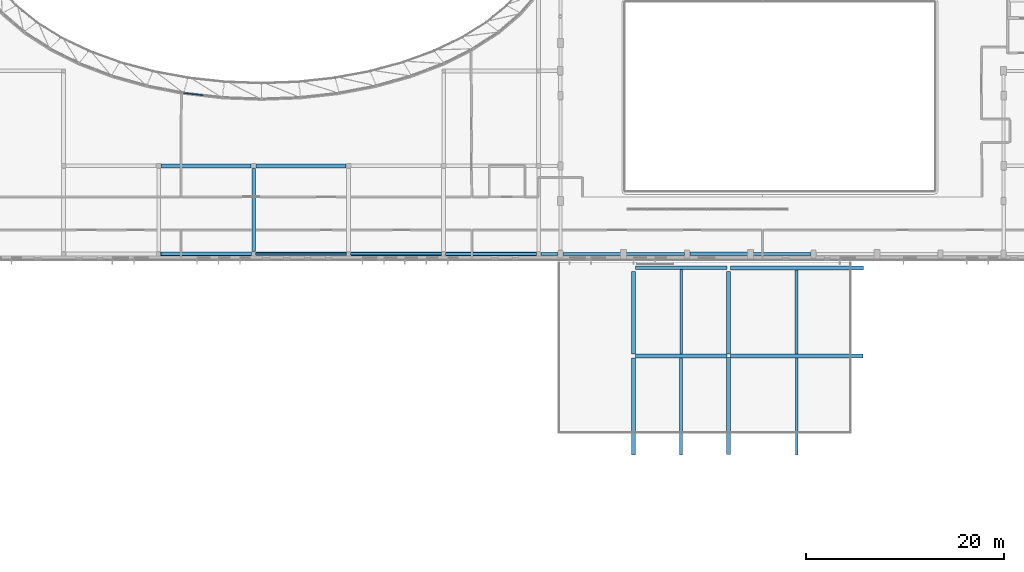
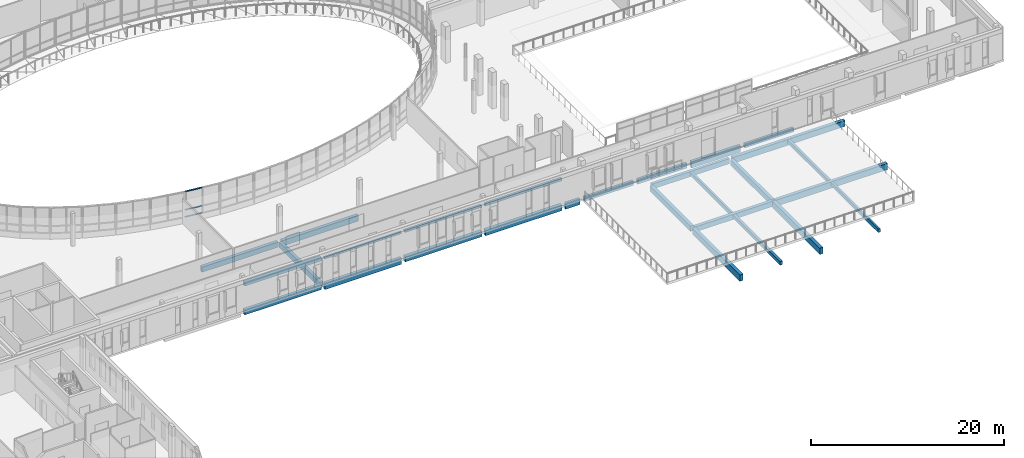
# One storey, part 13 of 73: 28 beams, 3 members, 1 element without a shape of its own.
"""IFC4 building model written with IfcOpenShell, lengths in metres."""

import ifcopenshell
import ifcopenshell.guid

model = None  # the IFC model being written
_history = None  # IfcOwnerHistory: only IFC2X3 demands one
_inside = {}  # id of a spatial element -> (the spatial element, [elements in it])
_under = {}  # id of a project, library or spatial element -> (it, [spatial elements below it])
_declared = {}  # id of a project -> (the project, [libraries it declares])
_typed = {}  # id of a type object -> (the type object, [elements of that type])
_made_of = {}  # id of a material, layer set ... -> (it, [elements and type objects made of it])


def new_model(schema):
    """Start an empty IFC model of exactly this schema.

    Asked for "IFC4X3", IfcOpenShell would pick the latest addendum, in which some entities
    have other attributes; the version numbers below select the first issue.
    IFC2X3 requires an IfcOwnerHistory on every rooted entity: one is made here for all.
    """
    global model, _history
    if schema == "IFC4X3":
        model = ifcopenshell.file(schema_version=(4, 3, 0, 0))
    else:
        model = ifcopenshell.file(schema=schema)
    _inside.clear()
    _under.clear()
    _declared.clear()
    _typed.clear()
    _made_of.clear()
    _history = None
    if model.schema == "IFC2X3":
        org = make("IfcOrganization", Name="unknown")
        user = make(
            "IfcPersonAndOrganization",
            ThePerson=make("IfcPerson", FamilyName="unknown"),
            TheOrganization=org,
        )
        app = make(
            "IfcApplication",
            ApplicationDeveloper=org,
            Version="unknown",
            ApplicationFullName="unknown",
            ApplicationIdentifier="unknown",
        )
        _history = make(
            "IfcOwnerHistory",
            OwningUser=user,
            OwningApplication=app,
            ChangeAction="ADDED",
            CreationDate=0,
        )
    return model


def make(cls, **values):
    """One entity of the class cls with the attributes given. An attribute that is None is left unset."""
    return model.create_entity(
        cls, **{name: value for name, value in values.items() if value is not None}
    )


def rooted(cls, **values):
    """An entity with a GlobalId (a new one), such as an element, a storey or a relation."""
    return make(cls, GlobalId=ifcopenshell.guid.new(), OwnerHistory=_history, **values)


def si_unit(unit_type, name, prefix=None):
    """IfcSIUnit, for example si_unit("LENGTHUNIT", "METRE", prefix="MILLI")."""
    return make("IfcSIUnit", UnitType=unit_type, Prefix=prefix, Name=name)


def assignment(units):
    """IfcUnitAssignment: the units of a project."""
    return None if units is None else make("IfcUnitAssignment", Units=units)


def point(xyz):
    """IfcCartesianPoint."""
    return None if xyz is None else make("IfcCartesianPoint", Coordinates=xyz)


def direction(xyz):
    """IfcDirection."""
    return None if xyz is None else make("IfcDirection", DirectionRatios=xyz)


def frame(location, z_axis=None, x_axis=None):
    """IfcAxis2Placement3D, a coordinate frame: its origin and axes. An axis left out is left unset."""
    return make(
        "IfcAxis2Placement3D",
        Location=point(location),
        Axis=direction(z_axis),
        RefDirection=direction(x_axis),
    )


def frame_2d(location, x_axis=None):
    """IfcAxis2Placement2D, a coordinate frame in the plane: its origin and x axis."""
    return make(
        "IfcAxis2Placement2D", Location=point(location), RefDirection=direction(x_axis)
    )


def origin():
    """The frame at (0, 0, 0) with its axes left unset."""
    return frame((0.0, 0.0, 0.0))


def origin_2d():
    """The frame at (0, 0) in the plane with its x axis left unset."""
    return frame_2d((0.0, 0.0))


def place(relative_to, where):
    """IfcLocalPlacement: puts the frame where relative to a parent placement (None: the world)."""
    return make(
        "IfcLocalPlacement", PlacementRelTo=relative_to, RelativePlacement=where
    )


def context(
    kind, dimensions, precision=None, world=None, true_north=None, identifier=None
):
    """IfcGeometricRepresentationContext, for example the 3D "Model" context."""
    return make(
        "IfcGeometricRepresentationContext",
        ContextIdentifier=identifier,
        ContextType=kind,
        CoordinateSpaceDimension=dimensions,
        Precision=precision,
        WorldCoordinateSystem=world,
        TrueNorth=true_north,
    )


def subcontext(parent, identifier, kind, view, scale=None):
    """IfcGeometricRepresentationSubContext, for example "Body" below "Model"."""
    return make(
        "IfcGeometricRepresentationSubContext",
        ContextIdentifier=identifier,
        ContextType=kind,
        ParentContext=parent,
        TargetScale=scale,
        TargetView=view,
    )


def project(units=None, contexts=None):
    """IfcProject with its units and contexts."""
    return rooted(
        "IfcProject",
        Name="project",
        RepresentationContexts=contexts,
        UnitsInContext=assignment(units),
    )


def spatial(cls, under=None, at=None, **own):
    """A site, building, storey or space (cls), placed at a placement, below another one or the project."""
    s = rooted(cls, ObjectPlacement=at, **own)
    if under is not None:
        _under.setdefault(under.id(), (under, []))[1].append(s)
    return s


def profile(cls, at=None, kind="AREA", **sizes):
    """A parametric profile (cls). Its sizes go by their IFC names, for example OverallWidth=200.0."""
    return make(cls, ProfileType=kind, Position=at, **sizes)


def rectangle(**sizes):
    """IfcRectangleProfileDef."""
    return profile("IfcRectangleProfileDef", **sizes)


def extrude(swept, where, along, depth):
    """IfcExtrudedAreaSolid: the profile swept, set in the frame where, extruded along a direction by depth."""
    return make(
        "IfcExtrudedAreaSolid",
        SweptArea=swept,
        Position=where,
        ExtrudedDirection=direction(along),
        Depth=depth,
    )


def shape(context_of_items, identifier, shape_type, items):
    """IfcShapeRepresentation: the items that make up one representation, for example the "Body"."""
    return make(
        "IfcShapeRepresentation",
        ContextOfItems=context_of_items,
        RepresentationIdentifier=identifier,
        RepresentationType=shape_type,
        Items=items,
    )


def material(Name=None, Category=None):
    """IfcMaterial."""
    return make("IfcMaterial", Name=Name, Category=Category)


def material_profile(
    of_material, cross_section, Name=None, Category=None, Priority=None
):
    """IfcMaterialProfile: a cross section and its material."""
    return make(
        "IfcMaterialProfile",
        Name=Name,
        Material=of_material,
        Profile=cross_section,
        Priority=Priority,
        Category=Category,
    )


def profile_set(profiles, Name=None, composite=None):
    """IfcMaterialProfileSet."""
    return make(
        "IfcMaterialProfileSet",
        Name=Name,
        MaterialProfiles=profiles,
        CompositeProfile=composite,
    )


def made_of(thing, what):
    """Note that an element or type object is made of a material, layer set ...; save() writes the relation."""
    if what is not None:
        _made_of.setdefault(what.id(), (what, []))[1].append(thing)
    return thing


def type_object(cls, material=None, **own):
    """A type object (cls), such as IfcWallType, which elements share."""
    return made_of(rooted(cls, **own), material)


def element(
    cls,
    number,
    at=None,
    inside=None,
    cuts=None,
    type_object=None,
    material=None,
    context=None,
    identifier="Body",
    shape_type=None,
    held_by="IfcProductDefinitionShape",
    body=None,
    shapes=None,
    **own,
):
    """One element of the class cls, such as IfcWall. Its Tag is "e" and its number.

    at: its placement. inside: the storey or other place that contains it. cuts: it is an
    opening in that element (IfcRelVoidsElement). A single representation is given by context,
    identifier, shape_type and body (its items); several are given by shapes. held_by: the class
    of the entity that holds the representations. save() writes the other relations.
    """
    e = rooted(cls, Tag="e%d" % number, ObjectPlacement=at, **own)
    if body is not None:
        shapes = [shape(context, identifier, shape_type, body)]
    if shapes is not None:
        e.Representation = make(held_by, Representations=shapes)
    if inside is not None:
        _inside.setdefault(inside.id(), (inside, []))[1].append(e)
    if cuts is not None:
        rooted(
            "IfcRelVoidsElement", RelatingBuildingElement=cuts, RelatedOpeningElement=e
        )
    if type_object is not None:
        _typed.setdefault(type_object.id(), (type_object, []))[1].append(e)
    return made_of(e, material)


def aggregate(whole, parts):
    """IfcRelAggregates: a whole, such as a stair, and the parts it consists of."""
    return rooted("IfcRelAggregates", RelatingObject=whole, RelatedObjects=parts)


def save(model, path):
    """Write the relations noted so far, then the file.

    IfcRelAggregates (storeys below a building ...), IfcRelContainedInSpatialStructure (elements
    in a storey), IfcRelDefinesByType, IfcRelAssociatesMaterial and IfcRelDeclares: one each for
    every whole, place, type object, material and project.
    """
    for whole, parts in _under.values():
        aggregate(whole, parts)
    for where, things in _inside.values():
        rooted(
            "IfcRelContainedInSpatialStructure",
            RelatedElements=things,
            RelatingStructure=where,
        )
    for kind, things in _typed.values():
        rooted("IfcRelDefinesByType", RelatedObjects=things, RelatingType=kind)
    for what, things in _made_of.values():
        rooted("IfcRelAssociatesMaterial", RelatedObjects=things, RelatingMaterial=what)
    for by, libraries in _declared.values():
        rooted("IfcRelDeclares", RelatingContext=by, RelatedDefinitions=libraries)
    model.write(path)


model = new_model("IFC4")

# Units and contexts
model_context = context("Model", 3, precision=1e-05, world=origin(), true_north=direction((0.0, 1.0)))
body_context = subcontext(model_context, "Body", "Model", "MODEL_VIEW")
ifc_project = project(units=[si_unit("LENGTHUNIT", "METRE"), si_unit("AREAUNIT", "SQUARE_METRE"), si_unit("VOLUMEUNIT", "CUBIC_METRE"), si_unit("PLANEANGLEUNIT", "RADIAN"), si_unit("MASSUNIT", "GRAM", prefix="KILO")], contexts=[model_context])

# Site, building, storey
site_placement = place(None, origin())
site = spatial("IfcSite", under=ifc_project, at=site_placement, CompositionType="ELEMENT")
building_placement = place(site_placement, origin())
building = spatial("IfcBuilding", under=site, at=building_placement, Name="Mzevani Central Library", CompositionType="ELEMENT")
storey_placement = place(building_placement, frame((0.0, 0.0, 9.60009765625)))
storey = spatial("IfcBuildingStorey", under=building, at=storey_placement, Name="L02", CompositionType="ELEMENT", Elevation=9.60009765625)

# Beams
ifc_material_1 = material(Name="Concrete C35/45", Category="concrete")
ifc_material_profile_1 = material_profile(ifc_material_1, rectangle(XDim=0.300048828125, YDim=0.5, at=origin_2d()), Name="RC B300x500")
ifc_profile_set_1 = profile_set([ifc_material_profile_1], Name="Concrete C35/45")
beam_type_1 = type_object("IfcBeamType", Name="Beam RC 300x500", PredefinedType="BEAM", material=ifc_profile_set_1)
beam_1_placement = place(storey_placement, frame((133.64990234375, 43.10009765625, -0.510009765625), z_axis=(1.0, 0.0, 0.0), x_axis=(0.0, 1.0, 0.0)))
element("IfcBeam", 1, at=beam_1_placement, inside=storey, type_object=beam_type_1, Name="L02 V1 Girder B-01 (88)", PredefinedType="BEAM", context=body_context, shape_type="SweptSolid", body=[
    extrude(rectangle(XDim=0.300048828125, YDim=0.5, at=origin_2d()), origin(), (0.0, 0.0, 1.0), 5.875),
])
ifc_material_profile_2 = material_profile(ifc_material_1, rectangle(XDim=0.300048828125, YDim=0.550048828125, at=origin_2d()), Name="RC B300x550")
ifc_profile_set_2 = profile_set([ifc_material_profile_2], Name="Concrete C35/45")
beam_type_2 = type_object("IfcBeamType", Name="Beam RC 300x550", PredefinedType="BEAM", material=ifc_profile_set_2)
beam_2_placement = place(storey_placement, frame((114.449951171875, 43.10009765625, -0.53515625), z_axis=(1.0, 0.0, 0.0), x_axis=(0.0, 1.0, 0.0)))
element("IfcBeam", 2, at=beam_2_placement, inside=storey, type_object=beam_type_2, Name="L02 V1 Girder B-02 (85)", PredefinedType="BEAM", context=body_context, shape_type="SweptSolid", body=[
    extrude(rectangle(XDim=0.300048828125, YDim=0.550048828125, at=origin_2d()), origin(), (0.0, 0.0, 1.0), 5.900146484375),
])
ifc_material_profile_3 = material_profile(ifc_material_1, rectangle(XDim=0.300048828125, YDim=0.60009765625, at=origin_2d()), Name="RC B300x600")
ifc_profile_set_3 = profile_set([ifc_material_profile_3], Name="Concrete C35/45")
beam_type_3 = type_object("IfcBeamType", Name="Beam RC 300x600", PredefinedType="BEAM", material=ifc_profile_set_3)
beam_3_placement = place(storey_placement, frame((120.85009765625, 43.10009765625, -0.56005859375), z_axis=(1.0, 0.0, 0.0), x_axis=(0.0, 1.0, 0.0)))
element("IfcBeam", 3, at=beam_3_placement, inside=storey, type_object=beam_type_3, Name="L02 V1 Girder B-03 (86)", PredefinedType="BEAM", context=body_context, shape_type="SweptSolid", body=[
    extrude(rectangle(XDim=0.300048828125, YDim=0.60009765625, at=origin_2d()), origin(), (0.0, 0.0, 1.0), 5.875),
])
ifc_material_profile_4 = material_profile(ifc_material_1, rectangle(XDim=0.35009765625, YDim=0.64990234375, at=origin_2d()), Name="RC B350x650")
ifc_profile_set_4 = profile_set([ifc_material_profile_4], Name="Concrete C35/45")
beam_type_4 = type_object("IfcBeamType", Name="Beam RC 350x650", PredefinedType="BEAM", material=ifc_profile_set_4)
beam_4_placement = place(storey_placement, frame((73.824951171875, 43.10009765625, -0.585205078125), z_axis=(1.0, 0.0, 0.0), x_axis=(0.0, 1.0, 0.0)))
element("IfcBeam", 4, at=beam_4_placement, inside=storey, type_object=beam_type_4, Name="L02 V1 Girder B-05 (80)", PredefinedType="BEAM", context=body_context, shape_type="SweptSolid", body=[
    extrude(rectangle(XDim=0.35009765625, YDim=0.64990234375, at=origin_2d()), origin(), (0.0, 0.0, 1.0), 9.150146484375),
])
beam_5_placement = place(storey_placement, frame((121.77490234375, 41.699951171875, -0.625), z_axis=(1.0, 0.0, 0.0), x_axis=(0.0, 1.0, 0.0)))
element("IfcBeam", 5, at=beam_5_placement, inside=storey, type_object=beam_type_4, Name="L02 V6 Girder B-05 (1096)", PredefinedType="BEAM", context=body_context, shape_type="SweptSolid", body=[
    extrude(rectangle(XDim=0.35009765625, YDim=0.64990234375, at=origin_2d()), origin(), (0.0, 0.0, 1.0), 9.25),
])
ifc_material_profile_5 = material_profile(ifc_material_1, rectangle(XDim=0.35009765625, YDim=0.699951171875, at=origin_2d()), Name="RC B350x700")
ifc_profile_set_5 = profile_set([ifc_material_profile_5], Name="Concrete C35/45")
beam_type_5 = type_object("IfcBeamType", Name="Beam RC 350x700", PredefinedType="BEAM", material=ifc_profile_set_5)
beam_6_placement = place(storey_placement, frame((83.199951171875, 43.324951171875, -0.610107421875), z_axis=(0.0, 1.0, 0.0), x_axis=(-1.0, 0.0, 0.0)))
element("IfcBeam", 6, at=beam_6_placement, inside=storey, type_object=beam_type_5, Name="L02 V1 Frame Beam B-06 (121)", PredefinedType="BEAM", context=body_context, shape_type="SweptSolid", body=[
    extrude(rectangle(XDim=0.35009765625, YDim=0.699951171875, at=origin_2d()), origin(), (0.0, 0.0, 1.0), 8.425048828125),
])
ifc_material_profile_6 = material_profile(ifc_material_1, rectangle(XDim=0.39990234375, YDim=0.64990234375, at=origin_2d()), Name="RC B400x650")
ifc_profile_set_6 = profile_set([ifc_material_profile_6], Name="Concrete C35/45")
beam_type_6 = type_object("IfcBeamType", Name="Beam RC 400x650", PredefinedType="BEAM", material=ifc_profile_set_6)
beam_7_placement = place(storey_placement, frame((93.02490234375, 43.10009765625, -0.585205078125), z_axis=(1.0, 0.0, 0.0), x_axis=(0.0, 1.0, 0.0)))
element("IfcBeam", 7, at=beam_7_placement, inside=storey, type_object=beam_type_6, Name="L02 V1 Girder B-07 (82)", PredefinedType="BEAM", context=body_context, shape_type="SweptSolid", body=[
    extrude(rectangle(XDim=0.39990234375, YDim=0.64990234375, at=origin_2d()), origin(), (0.0, 0.0, 1.0), 9.150146484375),
])
beam_8_placement = place(storey_placement, frame((73.85009765625, 52.0, -0.585205078125), z_axis=(1.0, 0.0, 0.0), x_axis=(0.0, 1.0, 0.0)))
element("IfcBeam", 8, at=beam_8_placement, inside=storey, type_object=beam_type_6, Name="L02 V1 Girder B-07 (94)", PredefinedType="BEAM", context=body_context, shape_type="SweptSolid", body=[
    extrude(rectangle(XDim=0.39990234375, YDim=0.64990234375, at=origin_2d()), origin(), (0.0, 0.0, 1.0), 9.099853515625),
])
beam_9_placement = place(storey_placement, frame((121.800048828125, 32.800048828125, -0.625), z_axis=(1.0, 0.0, 0.0), x_axis=(0.0, 1.0, 0.0)))
element("IfcBeam", 9, at=beam_9_placement, inside=storey, type_object=beam_type_6, Name="L02 V6 Girder B-07 (1094)", PredefinedType="BEAM", context=body_context, shape_type="SweptSolid", body=[
    extrude(rectangle(XDim=0.39990234375, YDim=0.64990234375, at=origin_2d()), origin(), (0.0, 0.0, 1.0), 9.224853515625),
])
ifc_material_profile_7 = material_profile(ifc_material_1, rectangle(XDim=0.39990234375, YDim=0.699951171875, at=origin_2d()), Name="RC B400x700")
ifc_profile_set_7 = profile_set([ifc_material_profile_7], Name="Concrete C35/45")
beam_type_7 = type_object("IfcBeamType", Name="Beam RC 400x700", PredefinedType="BEAM", material=ifc_profile_set_7)
beam_10_placement = place(storey_placement, frame((102.625, 43.10009765625, -0.610107421875), z_axis=(1.0, 0.0, 0.0), x_axis=(0.0, 1.0, 0.0)))
element("IfcBeam", 10, at=beam_10_placement, inside=storey, type_object=beam_type_7, Name="L02 V1 Girder B-08 (83)", PredefinedType="BEAM", context=body_context, shape_type="SweptSolid", body=[
    extrude(rectangle(XDim=0.39990234375, YDim=0.699951171875, at=origin_2d()), origin(), (0.0, 0.0, 1.0), 9.14990234375),
])
beam_11_placement = place(storey_placement, frame((83.449951171875, 52.0, -0.610107421875), z_axis=(1.0, 0.0, 0.0), x_axis=(0.0, 1.0, 0.0)))
element("IfcBeam", 11, at=beam_11_placement, inside=storey, type_object=beam_type_7, Name="L02 V1 Girder B-08 (95)", PredefinedType="BEAM", context=body_context, shape_type="SweptSolid", body=[
    extrude(rectangle(XDim=0.39990234375, YDim=0.699951171875, at=origin_2d()), origin(), (0.0, 0.0, 1.0), 9.10009765625),
])
beam_12_placement = place(storey_placement, frame((121.60009765625, 33.0, -0.650146484375), z_axis=(0.0, 1.0, 0.0), x_axis=(-1.0, 0.0, 0.0)))
element("IfcBeam", 12, at=beam_12_placement, inside=storey, type_object=beam_type_7, Name="L02 V6 Frame Beam B-08 (1103)", PredefinedType="BEAM", context=body_context, shape_type="SweptSolid", body=[
    extrude(rectangle(XDim=0.39990234375, YDim=0.699951171875, at=origin_2d()), origin(), (0.0, 0.0, 1.0), 8.35009765625),
])
beam_13_placement = place(storey_placement, frame((131.199951171875, 32.97509765625, -0.650146484375), z_axis=(0.0, 1.0, 0.0), x_axis=(-1.0, 0.0, 0.0)))
element("IfcBeam", 13, at=beam_13_placement, inside=storey, type_object=beam_type_7, Name="L02 V6 Frame Beam B-08 (1107)", PredefinedType="BEAM", context=body_context, shape_type="SweptSolid", body=[
    extrude(rectangle(XDim=0.39990234375, YDim=0.699951171875, at=origin_2d()), origin(), (0.0, 0.0, 1.0), 8.375),
])
ifc_material_profile_8 = material_profile(ifc_material_1, rectangle(XDim=0.39990234375, YDim=0.75, at=origin_2d()), Name="RC B400x750")
ifc_profile_set_8 = profile_set([ifc_material_profile_8], Name="Concrete C35/45")
beam_type_8 = type_object("IfcBeamType", Name="Beam RC 400x750", PredefinedType="BEAM", material=ifc_profile_set_8)
beam_14_placement = place(storey_placement, frame((131.375, 41.699951171875, -0.675048828125), z_axis=(1.0, 0.0, 0.0), x_axis=(0.0, 1.0, 0.0)))
element("IfcBeam", 14, at=beam_14_placement, inside=storey, type_object=beam_type_8, Name="L02 V6 Girder B-09 (1097)", PredefinedType="BEAM", context=body_context, shape_type="SweptSolid", body=[
    extrude(rectangle(XDim=0.39990234375, YDim=0.75, at=origin_2d()), origin(), (0.0, 0.0, 1.0), 13.449951171875),
])
ifc_material_profile_9 = material_profile(ifc_material_1, rectangle(XDim=0.39990234375, YDim=0.800048828125, at=origin_2d()), Name="RC B400x800")
ifc_profile_set_9 = profile_set([ifc_material_profile_9], Name="Concrete C35/45")
beam_type_9 = type_object("IfcBeamType", Name="Beam RC 400x800", PredefinedType="BEAM", material=ifc_profile_set_9)
beam_15_placement = place(storey_placement, frame((131.375, 32.800048828125, -0.7001953125), z_axis=(1.0, 0.0, 0.0), x_axis=(0.0, 1.0, 0.0)))
element("IfcBeam", 15, at=beam_15_placement, inside=storey, type_object=beam_type_9, Name="L02 V6 Girder B-10 (1095)", PredefinedType="BEAM", context=body_context, shape_type="SweptSolid", body=[
    extrude(rectangle(XDim=0.39990234375, YDim=0.800048828125, at=origin_2d()), origin(), (0.0, 0.0, 1.0), 13.39990234375),
])
beam_16_placement = place(storey_placement, frame((121.60009765625, 22.77490234375, -0.7001953125), z_axis=(0.0, 1.0, 0.0), x_axis=(-1.0, 0.0, 0.0)))
element("IfcBeam", 16, at=beam_16_placement, inside=storey, type_object=beam_type_9, Name="L02 V6 Frame Beam B-10 (1102)", PredefinedType="BEAM", context=body_context, shape_type="SweptSolid", body=[
    extrude(rectangle(XDim=0.39990234375, YDim=0.800048828125, at=origin_2d()), origin(), (0.0, 0.0, 1.0), 9.8251953125),
])
beam_17_placement = place(storey_placement, frame((131.199951171875, 22.824951171875, -0.7001953125), z_axis=(0.0, 1.0, 0.0), x_axis=(-1.0, 0.0, 0.0)))
element("IfcBeam", 17, at=beam_17_placement, inside=storey, type_object=beam_type_9, Name="L02 V6 Frame Beam B-10 (1106)", PredefinedType="BEAM", context=body_context, shape_type="SweptSolid", body=[
    extrude(rectangle(XDim=0.39990234375, YDim=0.800048828125, at=origin_2d()), origin(), (0.0, 0.0, 1.0), 9.800048828125),
])

# Curtain wall, members
ifc_material_2 = material(Name="Thermally broken aluminium and Low-E triple glazing", Category="aluminium")
curtain_wall_type = type_object("IfcCurtainWallType", Name="Elliptical Court Unitised Curtain Wall", PredefinedType="NOTDEFINED", material=ifc_material_2)
curtain_wall_placement = place(storey_placement, origin())
curtain_wall = element("IfcCurtainWall", 18, at=curtain_wall_placement, inside=storey, type_object=curtain_wall_type, Name="L02 Elliptical Court Curtain Wall 35", PredefinedType="NOTDEFINED")
ifc_material_3 = material(Name="Thermally broken aluminium AW-6060", Category="aluminium")
ifc_material_profile_10 = material_profile(ifc_material_3, rectangle(XDim=0.110107421875, YDim=0.06005859375, at=origin_2d()), Name="ALU T60x110")
ifc_profile_set_10 = profile_set([ifc_material_profile_10], Name="Thermally broken aluminium AW-6060")
member_type = type_object("IfcMemberType", Name="CW Transom 60x110", PredefinedType="USERDEFINED", material=ifc_profile_set_10)
member_1_placement = place(storey_placement, frame((76.16259765625, 59.35986328125, 0.719970703125), z_axis=(0.993685364048, -0.11220248338, 0.0), x_axis=(0.11220248338, 0.993685364048, 0.0)))
member_1 = element("IfcMember", 19, at=member_1_placement, type_object=member_type, Name="L02 Elliptical Court Curtain Wall 35 Transom 1", ObjectType="TRANSOM", PredefinedType="USERDEFINED", context=body_context, shape_type="SweptSolid", body=[
    extrude(rectangle(XDim=0.110107421875, YDim=0.06005859375, at=origin_2d()), origin(), (0.0, 0.0, 1.0), 1.9365234375),
])
member_2_placement = place(storey_placement, frame((76.16259765625, 59.35986328125, 1.619873046875), z_axis=(0.993685364048, -0.11220248338, 0.0), x_axis=(0.11220248338, 0.993685364048, 0.0)))
member_2 = element("IfcMember", 20, at=member_2_placement, type_object=member_type, Name="L02 Elliptical Court Curtain Wall 35 Transom 2", ObjectType="TRANSOM", PredefinedType="USERDEFINED", context=body_context, shape_type="SweptSolid", body=[
    extrude(rectangle(XDim=0.110107421875, YDim=0.06005859375, at=origin_2d()), origin(), (0.0, 0.0, 1.0), 1.9365234375),
])
member_3_placement = place(storey_placement, frame((76.16259765625, 59.35986328125, 3.919921875), z_axis=(0.993685364048, -0.11220248338, 0.0), x_axis=(0.11220248338, 0.993685364048, 0.0)))
member_3 = element("IfcMember", 21, at=member_3_placement, type_object=member_type, Name="L02 Elliptical Court Curtain Wall 35 Transom 3", ObjectType="TRANSOM", PredefinedType="USERDEFINED", context=body_context, shape_type="SweptSolid", body=[
    extrude(rectangle(XDim=0.110107421875, YDim=0.06005859375, at=origin_2d()), origin(), (0.0, 0.0, 1.0), 1.9365234375),
])
aggregate(curtain_wall, [member_1, member_2, member_3])

# Beams
ifc_material_4 = material(Name="Precast concrete C40/50", Category="concrete")
ifc_material_profile_11 = material_profile(ifc_material_4, rectangle(XDim=0.35009765625, YDim=0.800048828125, at=origin_2d()), Name="RC SP350x800")
ifc_profile_set_11 = profile_set([ifc_material_profile_11], Name="Precast concrete C40/50")
beam_type_10 = type_object("IfcBeamType", Name="Colonnade Fascia Beam RC 350x800", PredefinedType="SPANDREL", material=ifc_profile_set_11)
beam_18_placement = place(storey_placement, frame((83.425048828125, 43.10009765625, -0.66015625), z_axis=(1.0, 0.0, 0.0), x_axis=(0.0, 1.0, 0.0)))
element("IfcBeam", 22, at=beam_18_placement, inside=storey, type_object=beam_type_10, Name="L02 V1 Girder SP-02 (81)", PredefinedType="SPANDREL", context=body_context, shape_type="SweptSolid", body=[
    extrude(rectangle(XDim=0.35009765625, YDim=0.800048828125, at=origin_2d()), origin(), (0.0, 0.0, 1.0), 9.14990234375),
])
beam_19_placement = place(storey_placement, frame((127.27490234375, 43.10009765625, -0.66015625), z_axis=(1.0, 0.0, 0.0), x_axis=(0.0, 1.0, 0.0)))
element("IfcBeam", 23, at=beam_19_placement, inside=storey, type_object=beam_type_10, Name="L02 V1 Girder SP-02 (87)", PredefinedType="SPANDREL", context=body_context, shape_type="SweptSolid", body=[
    extrude(rectangle(XDim=0.35009765625, YDim=0.800048828125, at=origin_2d()), origin(), (0.0, 0.0, 1.0), 5.875),
])
ifc_material_profile_12 = material_profile(ifc_material_4, rectangle(XDim=0.300048828125, YDim=0.75, at=origin_2d()), Name="RC SP300x750")
ifc_profile_set_12 = profile_set([ifc_material_profile_12], Name="Precast concrete C40/50")
beam_type_11 = type_object("IfcBeamType", Name="Edge Spandrel Beam RC 300x750", PredefinedType="SPANDREL", material=ifc_profile_set_12)
beam_20_placement = place(storey_placement, frame((112.22509765625, 43.10009765625, -0.635009765625), z_axis=(1.0, 0.0, 0.0), x_axis=(0.0, 1.0, 0.0)))
element("IfcBeam", 24, at=beam_20_placement, inside=storey, type_object=beam_type_11, Name="L02 V1 Girder SP-01 (84)", PredefinedType="SPANDREL", context=body_context, shape_type="SweptSolid", body=[
    extrude(rectangle(XDim=0.300048828125, YDim=0.75, at=origin_2d()), origin(), (0.0, 0.0, 1.0), 1.724853515625),
])
ifc_material_profile_13 = material_profile(ifc_material_1, rectangle(XDim=0.25, YDim=0.449951171875, at=origin_2d()), Name="RC J250x450")
ifc_profile_set_13 = profile_set([ifc_material_profile_13], Name="Concrete C35/45")
beam_type_12 = type_object("IfcBeamType", Name="Floor Joist RC 250x450", PredefinedType="JOIST", material=ifc_profile_set_13)
beam_21_placement = place(storey_placement, frame((138.10009765625, 22.800048828125, -0.525146484375), z_axis=(0.0, 1.0, 0.0), x_axis=(-1.0, 0.0, 0.0)))
element("IfcBeam", 25, at=beam_21_placement, inside=storey, type_object=beam_type_12, Name="L02 V6 Floor Joist BJ-01 (1119)", PredefinedType="JOIST", context=body_context, shape_type="SweptSolid", body=[
    extrude(rectangle(XDim=0.25, YDim=0.449951171875, at=origin_2d()), origin(), (0.0, 0.0, 1.0), 9.800048828125),
])
ifc_material_profile_14 = material_profile(ifc_material_1, rectangle(XDim=0.25, YDim=0.5, at=origin_2d()), Name="RC J250x500")
ifc_profile_set_14 = profile_set([ifc_material_profile_14], Name="Concrete C35/45")
beam_type_13 = type_object("IfcBeamType", Name="Floor Joist RC 250x500", PredefinedType="JOIST", material=ifc_profile_set_14)
beam_22_placement = place(storey_placement, frame((126.41259765625, 33.0, -0.550048828125), z_axis=(0.0, 1.0, 0.0), x_axis=(-1.0, 0.0, 0.0)))
element("IfcBeam", 26, at=beam_22_placement, inside=storey, type_object=beam_type_13, Name="L02 V6 Floor Joist BJ-02 (1120)", PredefinedType="JOIST", context=body_context, shape_type="SweptSolid", body=[
    extrude(rectangle(XDim=0.25, YDim=0.5, at=origin_2d()), origin(), (0.0, 0.0, 1.0), 8.52490234375),
])
ifc_material_profile_15 = material_profile(ifc_material_1, rectangle(XDim=0.300048828125, YDim=0.449951171875, at=origin_2d()), Name="RC J300x450")
ifc_profile_set_15 = profile_set([ifc_material_profile_15], Name="Concrete C35/45")
beam_type_14 = type_object("IfcBeamType", Name="Floor Joist RC 300x450", PredefinedType="JOIST", material=ifc_profile_set_15)
beam_23_placement = place(storey_placement, frame((126.387451171875, 22.77490234375, -0.525146484375), z_axis=(0.0, 1.0, 0.0), x_axis=(-1.0, 0.0, 0.0)))
element("IfcBeam", 27, at=beam_23_placement, inside=storey, type_object=beam_type_14, Name="L02 V6 Floor Joist BJ-03 (1118)", PredefinedType="JOIST", context=body_context, shape_type="SweptSolid", body=[
    extrude(rectangle(XDim=0.300048828125, YDim=0.449951171875, at=origin_2d()), origin(), (0.0, 0.0, 1.0), 9.8251953125),
])
beam_24_placement = place(storey_placement, frame((138.074951171875, 33.0, -0.525146484375), z_axis=(0.0, 1.0, 0.0), x_axis=(-1.0, 0.0, 0.0)))
element("IfcBeam", 28, at=beam_24_placement, inside=storey, type_object=beam_type_14, Name="L02 V6 Floor Joist BJ-03 (1121)", PredefinedType="JOIST", context=body_context, shape_type="SweptSolid", body=[
    extrude(rectangle(XDim=0.300048828125, YDim=0.449951171875, at=origin_2d()), origin(), (0.0, 0.0, 1.0), 8.5),
])
ifc_material_profile_16 = material_profile(ifc_material_4, rectangle(XDim=0.39990234375, YDim=0.449951171875, at=origin_2d()), Name="PC LN400x450")
ifc_profile_set_16 = profile_set([ifc_material_profile_16], Name="Precast concrete C40/50")
beam_type_15 = type_object("IfcBeamType", Name="Precast Portal Lintel 400x450", PredefinedType="LINTEL", material=ifc_profile_set_16)
beam_25_placement = place(storey_placement, frame((73.800048828125, 43.10009765625, 2.974853515625), z_axis=(1.0, 0.0, 0.0), x_axis=(0.0, 1.0, 0.0)))
element("IfcBeam", 29, at=beam_25_placement, inside=storey, type_object=beam_type_15, Name="L02 V1 Precast Portal Lintel (18)", PredefinedType="LINTEL", context=body_context, shape_type="SweptSolid", body=[
    extrude(rectangle(XDim=0.39990234375, YDim=0.449951171875, at=origin_2d()), origin(), (0.0, 0.0, 1.0), 9.199951171875),
])
ifc_material_profile_17 = material_profile(ifc_material_4, rectangle(XDim=0.199951171875, YDim=0.25, at=origin_2d()), Name="PC LN200x250")
ifc_profile_set_17 = profile_set([ifc_material_profile_17], Name="Precast concrete C40/50")
beam_type_16 = type_object("IfcBeamType", Name="Precast Window Lintel 200x250", PredefinedType="LINTEL", material=ifc_profile_set_17)
beam_26_placement = place(storey_placement, frame((83.39990234375, 43.10009765625, 2.875), z_axis=(1.0, 0.0, 0.0), x_axis=(0.0, 1.0, 0.0)))
element("IfcBeam", 30, at=beam_26_placement, inside=storey, type_object=beam_type_16, Name="L02 V1 Precast Portal Lintel (19)", PredefinedType="LINTEL", context=body_context, shape_type="SweptSolid", body=[
    extrude(rectangle(XDim=0.199951171875, YDim=0.25, at=origin_2d()), origin(), (0.0, 0.0, 1.0), 9.2001953125),
])
ifc_material_profile_18 = material_profile(ifc_material_4, rectangle(XDim=0.25, YDim=0.300048828125, at=origin_2d()), Name="PC LN250x300")
ifc_profile_set_18 = profile_set([ifc_material_profile_18], Name="Precast concrete C40/50")
beam_type_17 = type_object("IfcBeamType", Name="Precast Window Lintel 250x300", PredefinedType="LINTEL", material=ifc_profile_set_18)
beam_27_placement = place(storey_placement, frame((93.0, 43.10009765625, 2.89990234375), z_axis=(1.0, 0.0, 0.0), x_axis=(0.0, 1.0, 0.0)))
element("IfcBeam", 31, at=beam_27_placement, inside=storey, type_object=beam_type_17, Name="L02 V1 Precast Portal Lintel (20)", PredefinedType="LINTEL", context=body_context, shape_type="SweptSolid", body=[
    extrude(rectangle(XDim=0.25, YDim=0.300048828125, at=origin_2d()), origin(), (0.0, 0.0, 1.0), 9.199951171875),
])
ifc_material_profile_19 = material_profile(ifc_material_4, rectangle(XDim=0.280029296875, YDim=0.320068359375, at=origin_2d()), Name="PC LN280x320")
ifc_profile_set_19 = profile_set([ifc_material_profile_19], Name="Precast concrete C40/50")
beam_type_18 = type_object("IfcBeamType", Name="Precast Window Lintel 280x320", PredefinedType="LINTEL", material=ifc_profile_set_19)
beam_28_placement = place(storey_placement, frame((102.60009765625, 43.10009765625, 2.909912109375), z_axis=(1.0, 0.0, 0.0), x_axis=(0.0, 1.0, 0.0)))
element("IfcBeam", 32, at=beam_28_placement, inside=storey, type_object=beam_type_18, Name="L02 V1 Precast Portal Lintel (21)", PredefinedType="LINTEL", context=body_context, shape_type="SweptSolid", body=[
    extrude(rectangle(XDim=0.280029296875, YDim=0.320068359375, at=origin_2d()), origin(), (0.0, 0.0, 1.0), 9.199951171875),
])

save(model, "model.ifc")
